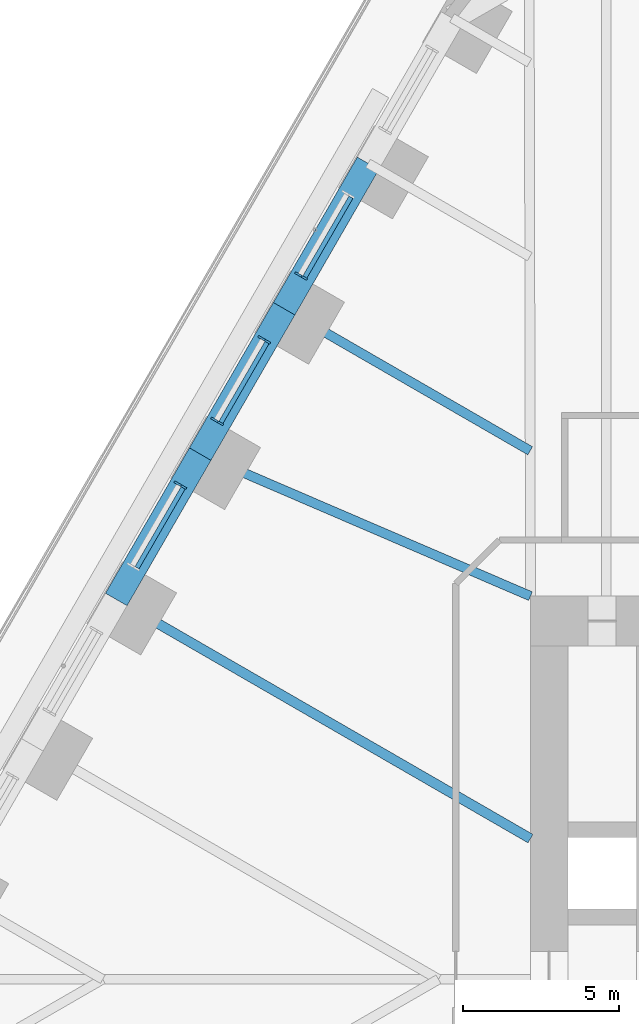
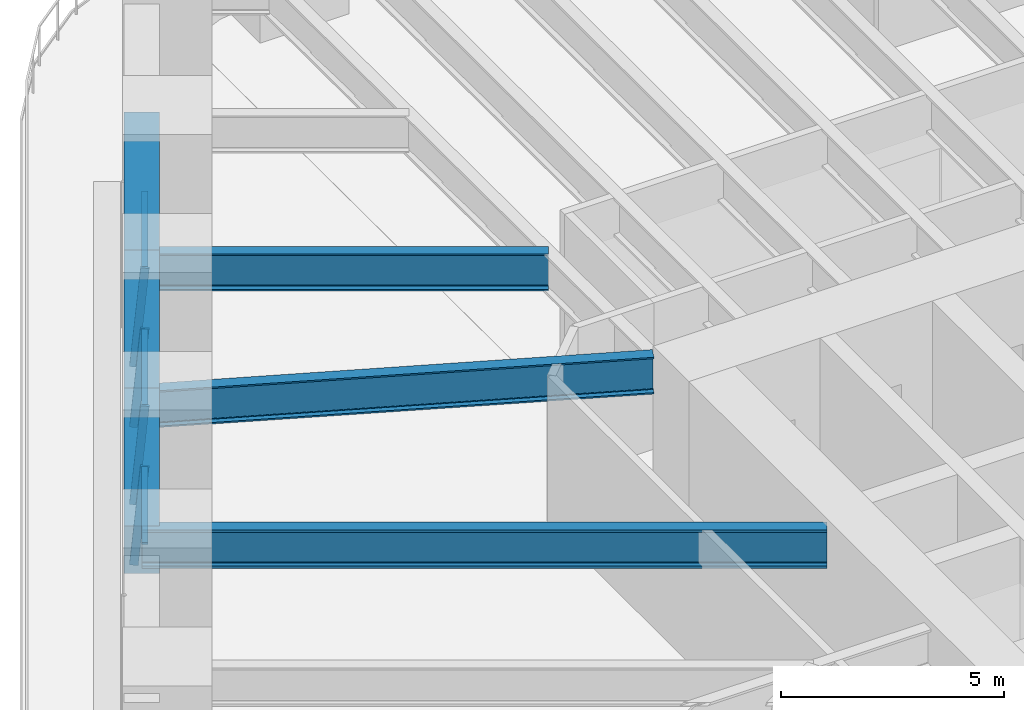
# One storey, part 8 of 23: 7 members, 6 beams, 3 elements without a shape of their own.
"""IFC4 building model written with IfcOpenShell, lengths in metres."""

from ifc_helpers import new_model, si_unit, direction, frame, origin, origin_2d, place, context, subcontext, project, spatial, rectangle, i_section, extrude, material, material_profile, profile_set, type_object, element, aggregate, save


model = new_model("IFC4")

# Units and contexts
model_context = context("Model", 3, precision=1e-05, world=origin(), true_north=direction((0.0, 1.0)))
body_context = subcontext(model_context, "Body", "Model", "MODEL_VIEW")
ifc_project = project(units=[si_unit("LENGTHUNIT", "METRE"), si_unit("AREAUNIT", "SQUARE_METRE"), si_unit("VOLUMEUNIT", "CUBIC_METRE"), si_unit("PLANEANGLEUNIT", "RADIAN"), si_unit("MASSUNIT", "GRAM", prefix="KILO")], contexts=[model_context])

# Site, building, storey
site_placement = place(None, origin())
site = spatial("IfcSite", under=ifc_project, at=site_placement, CompositionType="ELEMENT")
building_placement = place(site_placement, origin())
building = spatial("IfcBuilding", under=site, at=building_placement, Name="Tarfa Lantern Tower", CompositionType="ELEMENT")
storey_placement = place(building_placement, frame((0.0, 0.0, 31.89990234375)))
storey = spatial("IfcBuildingStorey", under=building, at=storey_placement, Name="L06", CompositionType="ELEMENT", Elevation=31.89990234375)

# Curtain wall, member
ifc_material_1 = material(Name="Aluminium framed curtain wall", Category="aluminium")
curtain_wall_type = type_object("IfcCurtainWallType", Name="CW1 CANTED GLAZING LOW ZONE 2700", PredefinedType="USERDEFINED", material=ifc_material_1)
curtain_wall_1_placement = place(storey_placement, origin())
curtain_wall_1 = element("IfcCurtainWall", 1, at=curtain_wall_1_placement, inside=storey, type_object=curtain_wall_type, Name="CW1 NW L06", ObjectType="CURTAIN WALL", PredefinedType="USERDEFINED")
ifc_material_2 = material(Name="Aluminium mullion", Category="aluminium")
ifc_material_profile_1 = material_profile(ifc_material_2, rectangle(XDim=0.06494140625, YDim=0.199951171875, at=origin_2d()), Name="AL MULLION 65x200")
ifc_profile_set_1 = profile_set([ifc_material_profile_1], Name="Aluminium mullion")
member_type_1 = type_object("IfcMemberType", Name="CWM1 MULLION 65x200", PredefinedType="MULLION", material=ifc_profile_set_1)
member_1_placement = place(storey_placement, frame((-26.07275390625, 22.640625, 0.0), z_axis=(0.079857261722, -0.046095736191, 0.995739926314), x_axis=(0.499919672301, 0.866071776036, 0.0)))
member_1 = element("IfcMember", 2, at=member_1_placement, type_object=member_type_1, Name="CW1 mullion 2", PredefinedType="MULLION", context=body_context, shape_type="SweptSolid", body=[
    extrude(rectangle(XDim=0.06494140625, YDim=0.199951171875, at=origin_2d()), origin(), (0.0, 0.0, 1.0), 2.711669921875),
])

# Curtain wall, members
curtain_wall_2_placement = place(storey_placement, origin())
curtain_wall_2 = element("IfcCurtainWall", 3, at=curtain_wall_2_placement, inside=storey, type_object=curtain_wall_type, Name="CW1 NW L06", ObjectType="CURTAIN WALL", PredefinedType="USERDEFINED")
member_2_placement = place(storey_placement, frame((-27.255126953125, 20.592529296875, 0.0), z_axis=(0.079767804165, -0.046096067418, 0.995747081335), x_axis=(0.500342721131, 0.865827443207, 0.0)))
member_2 = element("IfcMember", 4, at=member_2_placement, type_object=member_type_1, Name="CW1 mullion 1", PredefinedType="MULLION", context=body_context, shape_type="SweptSolid", body=[
    extrude(rectangle(XDim=0.06494140625, YDim=0.199951171875, at=origin_2d()), origin(), (0.0, 0.0, 1.0), 2.711669921875),
])
member_3_placement = place(storey_placement, frame((-28.76708984375, 17.97412109375, 0.0), z_axis=(0.079857261722, -0.046095736191, 0.995739926314), x_axis=(0.499919672301, 0.866071776036, 0.0)))
member_3 = element("IfcMember", 5, at=member_3_placement, type_object=member_type_1, Name="CW1 mullion 2", PredefinedType="MULLION", context=body_context, shape_type="SweptSolid", body=[
    extrude(rectangle(XDim=0.06494140625, YDim=0.199951171875, at=origin_2d()), origin(), (0.0, 0.0, 1.0), 2.711669921875),
])

# Curtain wall, member
curtain_wall_3_placement = place(storey_placement, origin())
curtain_wall_3 = element("IfcCurtainWall", 6, at=curtain_wall_3_placement, inside=storey, type_object=curtain_wall_type, Name="CW1 NW L06", ObjectType="CURTAIN WALL", PredefinedType="USERDEFINED")
member_4_placement = place(storey_placement, frame((-29.949462890625, 15.926025390625, 0.0), z_axis=(0.079857261722, -0.046095736191, 0.995739926314), x_axis=(0.499919672301, 0.866071776036, 0.0)))
member_4 = element("IfcMember", 7, at=member_4_placement, type_object=member_type_1, Name="CW1 mullion 1", PredefinedType="MULLION", context=body_context, shape_type="SweptSolid", body=[
    extrude(rectangle(XDim=0.06494140625, YDim=0.199951171875, at=origin_2d()), origin(), (0.0, 0.0, 1.0), 2.711669921875),
])

# Member
ifc_material_3 = material(Name="Aluminium transom", Category="aluminium")
ifc_material_profile_2 = material_profile(ifc_material_3, rectangle(XDim=0.14990234375, YDim=0.06494140625, at=origin_2d()), Name="AL TRANSOM 150x65")
ifc_profile_set_2 = profile_set([ifc_material_profile_2], Name="Aluminium transom")
member_type_2 = type_object("IfcMemberType", Name="CWT1 TRANSOM 150x65", PredefinedType="USERDEFINED", material=ifc_profile_set_2)
member_5_placement = place(storey_placement, frame((-24.36328125, 25.107666015625, 2.66748046875), z_axis=(-0.499981985492, -0.866035804215, 0.0), x_axis=(0.866035804215, -0.499981985492, 0.0)))
member_5 = element("IfcMember", 8, at=member_5_placement, type_object=member_type_2, Name="CW1 transom 1.2", ObjectType="TRANSOM", PredefinedType="USERDEFINED", context=body_context, shape_type="SweptSolid", body=[
    extrude(rectangle(XDim=0.14990234375, YDim=0.06494140625, at=origin_2d()), origin(), (0.0, 0.0, 1.0), 2.95849609375),
])

aggregate(curtain_wall_1, [member_1, member_5])

member_6_placement = place(storey_placement, frame((-27.0576171875, 20.44091796875, 2.66748046875), z_axis=(-0.499981985492, -0.866035804215, 0.0), x_axis=(0.866035804215, -0.499981985492, 0.0)))
member_6 = element("IfcMember", 9, at=member_6_placement, type_object=member_type_2, Name="CW1 transom 1.2", ObjectType="TRANSOM", PredefinedType="USERDEFINED", context=body_context, shape_type="SweptSolid", body=[
    extrude(rectangle(XDim=0.14990234375, YDim=0.06494140625, at=origin_2d()), origin(), (0.0, 0.0, 1.0), 2.95849609375),
])

aggregate(curtain_wall_2, [member_2, member_3, member_6])

member_7_placement = place(storey_placement, frame((-29.751953125, 15.774169921875, 2.66748046875), z_axis=(-0.500017718492, -0.866015173767, 0.0), x_axis=(0.866015173767, -0.500017718492, 0.0)))
member_7 = element("IfcMember", 10, at=member_7_placement, type_object=member_type_2, Name="CW1 transom 1.2", ObjectType="TRANSOM", PredefinedType="USERDEFINED", context=body_context, shape_type="SweptSolid", body=[
    extrude(rectangle(XDim=0.14990234375, YDim=0.06494140625, at=origin_2d()), origin(), (0.0, 0.0, 1.0), 2.95849609375),
])

aggregate(curtain_wall_3, [member_4, member_7])

# Beams
ifc_material_4 = material(Name="Concrete C80/95", Category="concrete")
ifc_material_profile_3 = material_profile(ifc_material_4, rectangle(XDim=0.800048828125, YDim=1.300048828125, at=origin_2d()), Name="RC 800x1300")
ifc_profile_set_3 = profile_set([ifc_material_profile_3], Name="Concrete C80/95")
beam_type_1 = type_object("IfcBeamType", Name="EB1 RC 800x1300", PredefinedType="SPANDREL", material=ifc_profile_set_3)
beam_1_placement = place(storey_placement, frame((-23.813720703125, 26.193359375, 3.35009765625), z_axis=(-0.499998287579, -0.866026392449, 0.0), x_axis=(0.866026392449, -0.499998287579, 0.0)))
element("IfcBeam", 11, at=beam_1_placement, inside=storey, type_object=beam_type_1, Name="Edge beam NW1", PredefinedType="SPANDREL", context=body_context, shape_type="SweptSolid", body=[
    extrude(rectangle(XDim=0.800048828125, YDim=1.300048828125, at=origin_2d()), origin(), (0.0, 0.0, 1.0), 5.388671875),
])
beam_2_placement = place(storey_placement, frame((-26.508056640625, 21.526611328125, 3.35009765625), z_axis=(-0.500017906299, -0.866015065331, 0.0), x_axis=(0.866015065331, -0.500017906299, 0.0)))
element("IfcBeam", 12, at=beam_2_placement, inside=storey, type_object=beam_type_1, Name="Edge beam NW2", PredefinedType="SPANDREL", context=body_context, shape_type="SweptSolid", body=[
    extrude(rectangle(XDim=0.800048828125, YDim=1.300048828125, at=origin_2d()), origin(), (0.0, 0.0, 1.0), 5.388427734375),
])
beam_3_placement = place(storey_placement, frame((-29.202392578125, 16.860107421875, 3.35009765625), z_axis=(-0.499998287579, -0.866026392449, 0.0), x_axis=(0.866026392449, -0.499998287579, 0.0)))
element("IfcBeam", 13, at=beam_3_placement, inside=storey, type_object=beam_type_1, Name="Edge beam NW3", PredefinedType="SPANDREL", context=body_context, shape_type="SweptSolid", body=[
    extrude(rectangle(XDim=0.800048828125, YDim=1.300048828125, at=origin_2d()), origin(), (0.0, 0.0, 1.0), 5.388671875),
])
ifc_material_5 = material(Name="Steel S460M", Category="steel")
ifc_material_profile_4 = material_profile(ifc_material_5, i_section(OverallWidth=0.302001953125, OverallDepth=1.008056640625, WebThickness=0.02099609375, FlangeThickness=0.0400390625, FilletRadius=0.030029296875, at=origin_2d()), Name="UB1016x305x349")
ifc_profile_set_4 = profile_set([ifc_material_profile_4], Name="Steel S460M")
beam_type_2 = type_object("IfcBeamType", Name="UB1016x305x349", PredefinedType="BEAM", material=ifc_profile_set_4)
beam_4_placement = place(storey_placement, frame((-26.508056640625, 21.526611328125, 3.49609375), z_axis=(0.866035355799, -0.49998276221, 0.0), x_axis=(0.49998276221, 0.866035355799, 0.0)))
element("IfcBeam", 14, at=beam_4_placement, inside=storey, type_object=beam_type_2, Name="Floor beam NW2", PredefinedType="BEAM", context=body_context, shape_type="SweptSolid", body=[
    extrude(i_section(OverallWidth=0.302001953125, OverallDepth=1.008056640625, WebThickness=0.02099609375, FlangeThickness=0.0400390625, FilletRadius=0.030029296875, at=origin_2d()), origin(), (0.0, 0.0, 1.0), 9.119873046875),
])
beam_5_placement = place(storey_placement, frame((-29.202392578125, 16.860107421875, 3.49609375), z_axis=(0.918635483867, -0.395106122175, 0.0), x_axis=(0.395106122175, 0.918635483867, 0.0)))
element("IfcBeam", 15, at=beam_5_placement, inside=storey, type_object=beam_type_2, Name="Floor beam NW3", PredefinedType="BEAM", context=body_context, shape_type="SweptSolid", body=[
    extrude(i_section(OverallWidth=0.302001953125, OverallDepth=1.008056640625, WebThickness=0.02099609375, FlangeThickness=0.0400390625, FilletRadius=0.030029296875, at=origin_2d()), origin(), (0.0, 0.0, 1.0), 11.541259765625),
])
ifc_material_profile_5 = material_profile(ifc_material_5, i_section(OverallWidth=0.314208984375, OverallDepth=1.055908203125, WebThickness=0.035888671875, FlangeThickness=0.06396484375, FilletRadius=0.030029296875, at=origin_2d()), Name="UB1016x305x584")
ifc_profile_set_5 = profile_set([ifc_material_profile_5], Name="Steel S460M")
beam_type_3 = type_object("IfcBeamType", Name="UB1016x305x584", PredefinedType="BEAM", material=ifc_profile_set_5)
beam_6_placement = place(storey_placement, frame((-31.896728515625, 12.193359375, 3.47216796875), z_axis=(0.866026971665, -0.499997284341, 0.0), x_axis=(0.499997284341, 0.866026971665, 0.0)))
element("IfcBeam", 16, at=beam_6_placement, inside=storey, type_object=beam_type_3, Name="Floor beam NW4", PredefinedType="BEAM", context=body_context, shape_type="SweptSolid", body=[
    extrude(i_section(OverallWidth=0.314208984375, OverallDepth=1.055908203125, WebThickness=0.035888671875, FlangeThickness=0.06396484375, FilletRadius=0.030029296875, at=origin_2d()), origin(), (0.0, 0.0, 1.0), 15.353515625),
])

save(model, "model.ifc")
